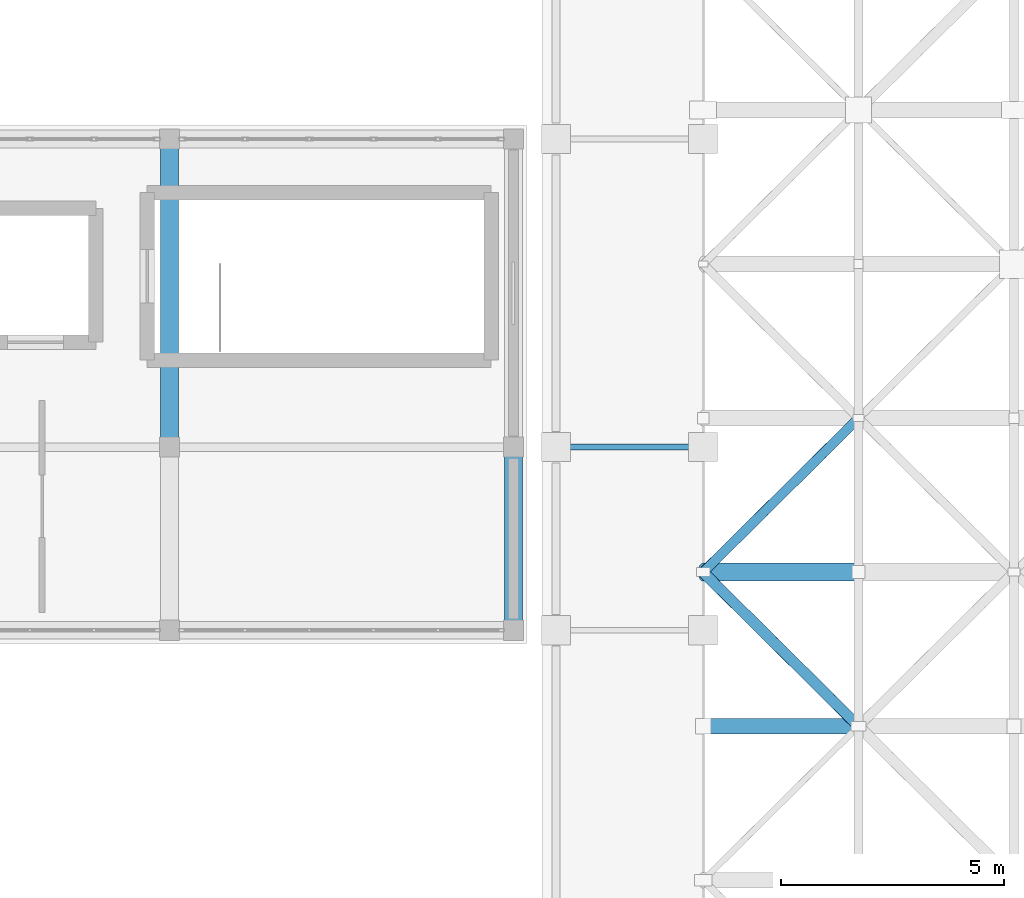
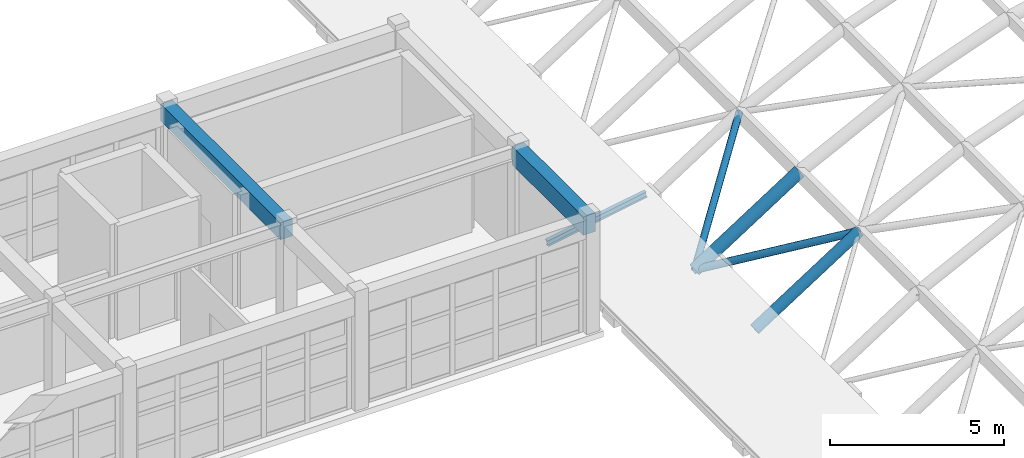
# One storey, part 17 of 52: 5 members, 2 beams.
"""IFC4 building model written with IfcOpenShell, lengths in metres."""

from ifc_helpers import new_model, si_unit, direction, frame, origin, origin_2d, place, context, subcontext, project, spatial, rectangle, hollow_circle, i_section, extrude, material, material_profile, profile_set, type_object, element, save


model = new_model("IFC4")

# Units and contexts
model_context = context("Model", 3, precision=1e-05, world=origin(), true_north=direction((0.0, 1.0)))
body_context = subcontext(model_context, "Body", "Model", "MODEL_VIEW")
ifc_project = project(units=[si_unit("LENGTHUNIT", "METRE"), si_unit("AREAUNIT", "SQUARE_METRE"), si_unit("VOLUMEUNIT", "CUBIC_METRE"), si_unit("PLANEANGLEUNIT", "RADIAN"), si_unit("MASSUNIT", "GRAM", prefix="KILO")], contexts=[model_context])

# Site, building, storey
site_placement = place(None, origin())
site = spatial("IfcSite", under=ifc_project, at=site_placement, CompositionType="ELEMENT")
building_placement = place(site_placement, origin())
building = spatial("IfcBuilding", under=site, at=building_placement, Name="Candilejo Ridge Gondola Terminal", CompositionType="ELEMENT")
storey_placement = place(building_placement, frame((0.0, 0.0, 18.60009765625)))
storey = spatial("IfcBuildingStorey", under=building, at=storey_placement, Name="L04", CompositionType="ELEMENT", Elevation=18.60009765625)

# Beam
ifc_material_1 = material(Name="Concrete f'c 35 MPa (C35/45)", Category="concrete")
ifc_material_profile_1 = material_profile(ifc_material_1, rectangle(XDim=0.39990234375, YDim=0.60009765625, at=origin_2d()))
ifc_profile_set_1 = profile_set([ifc_material_profile_1], Name="Concrete f'c 35 MPa (C35/45)")
beam_type_1 = type_object("IfcBeamType", Name="STR-BM-RC400X600", PredefinedType="BEAM", material=ifc_profile_set_1)
beam_1_placement = place(storey_placement, frame((125.25, 29.800048828125, 3.699951171875), z_axis=(0.0, 1.0, 0.0), x_axis=(-1.0, 0.0, 0.0)))
element("IfcBeam", 1, at=beam_1_placement, inside=storey, type_object=beam_type_1, Name="Beam Y V3 L04 Y06-Y07@X19", PredefinedType="BEAM", context=body_context, shape_type="SweptSolid", body=[
    extrude(rectangle(XDim=0.39990234375, YDim=0.60009765625, at=origin_2d()), origin(), (0.0, 0.0, 1.0), 6.89990234375),
])

# Members
ifc_material_2 = material(Name="Steel ASTM A500 Grade C", Category="steel")
ifc_material_profile_2 = material_profile(ifc_material_2, hollow_circle(Radius=0.109619140625, WallThickness=0.00830078125, at=origin_2d()))
ifc_profile_set_2 = profile_set([ifc_material_profile_2], Name="Steel ASTM A500 Grade C")
member_type_1 = type_object("IfcMemberType", Name="STR-BRC-CHS219", PredefinedType="BRACE", material=ifc_profile_set_2)
member_1_placement = place(storey_placement, frame((137.199951171875, 27.0, -0.2001953125), z_axis=(0.646271368564, 0.640694591636, 0.414540418323), x_axis=(-0.704036083414, 0.710164201612, 0.0)))
element("IfcMember", 2, at=member_1_placement, inside=storey, type_object=member_type_1, Name="Barrel diagrid diagonal 07-01", PredefinedType="BRACE", context=body_context, shape_type="SweptSolid", body=[
    extrude(hollow_circle(Radius=0.109619140625, WallThickness=0.00830078125, at=origin_2d()), origin(), (0.0, 0.0, 1.0), 5.384765625),
])
ifc_material_3 = material(Name="Steel ASTM A500 Grade C", Category="steel")
ifc_material_profile_3 = material_profile(ifc_material_3, hollow_circle(Radius=0.122314453125, WallThickness=0.0087890625, at=origin_2d()))
ifc_profile_set_3 = profile_set([ifc_material_profile_3], Name="Steel ASTM A500 Grade C")
member_type_2 = type_object("IfcMemberType", Name="STR-BRC-CHS244", PredefinedType="BRACE", material=ifc_profile_set_3)
member_2_placement = place(storey_placement, frame((140.679931640625, 23.550048828125, 2.031982421875), z_axis=(-0.646271368564, 0.640694591636, -0.414540418323), x_axis=(-0.704036083414, -0.710164201612, 0.0)))
element("IfcMember", 3, at=member_2_placement, inside=storey, type_object=member_type_2, Name="Barrel diagrid diagonal 06-01", PredefinedType="BRACE", context=body_context, shape_type="SweptSolid", body=[
    extrude(hollow_circle(Radius=0.122314453125, WallThickness=0.0087890625, at=origin_2d()), origin(), (0.0, 0.0, 1.0), 5.384765625),
])
ifc_material_4 = material(Name="Steel ASTM A500 Grade C", Category="steel")
ifc_material_profile_4 = material_profile(ifc_material_4, hollow_circle(Radius=0.177734375, WallThickness=0.0126953125, at=origin_2d()))
ifc_profile_set_4 = profile_set([ifc_material_profile_4], Name="Steel ASTM A500 Grade C")
member_type_3 = type_object("IfcMemberType", Name="STR-RAF-CHS356", PredefinedType="RAFTER", material=ifc_profile_set_4)
member_3_placement = place(storey_placement, frame((137.199951171875, 23.550048828125, -0.2001953125), z_axis=(0.841722944164, 0.0, 0.539909701031), x_axis=(0.0, 1.0, 0.0)))
element("IfcMember", 4, at=member_3_placement, inside=storey, type_object=member_type_3, Name="Barrel diagrid arch rafter F06-01", PredefinedType="RAFTER", context=body_context, shape_type="SweptSolid", body=[
    extrude(hollow_circle(Radius=0.177734375, WallThickness=0.0126953125, at=origin_2d()), origin(), (0.0, 0.0, 1.0), 4.13427734375),
])
ifc_material_5 = material(Name="Steel ASTM A500 Grade C", Category="steel")
ifc_material_profile_5 = material_profile(ifc_material_5, hollow_circle(Radius=0.203125, WallThickness=0.0126953125, at=origin_2d()))
ifc_profile_set_5 = profile_set([ifc_material_profile_5], Name="Steel ASTM A500 Grade C")
member_type_4 = type_object("IfcMemberType", Name="STR-RAF-CHS406", PredefinedType="RAFTER", material=ifc_profile_set_5)
member_4_placement = place(storey_placement, frame((137.199951171875, 27.0, -0.2001953125), z_axis=(0.841722944164, 0.0, 0.539909701031), x_axis=(0.0, 1.0, 0.0)))
element("IfcMember", 5, at=member_4_placement, inside=storey, type_object=member_type_4, Name="Barrel diagrid arch rafter F07-01", PredefinedType="RAFTER", context=body_context, shape_type="SweptSolid", body=[
    extrude(hollow_circle(Radius=0.203125, WallThickness=0.0126953125, at=origin_2d()), origin(), (0.0, 0.0, 1.0), 4.13427734375),
])
ifc_material_6 = material(Name="Steel ASTM A992 Grade 50", Category="steel")
ifc_material_profile_6 = material_profile(ifc_material_6, i_section(OverallWidth=0.133056640625, OverallDepth=0.20703125, WebThickness=0.005859375, FlangeThickness=0.00830078125, at=origin_2d()))
ifc_profile_set_6 = profile_set([ifc_material_profile_6], Name="Steel ASTM A992 Grade 50")
member_type_5 = type_object("IfcMemberType", Name="STR-RAF-W200", PredefinedType="RAFTER", material=ifc_profile_set_6)
member_5_placement = place(storey_placement, frame((133.89990234375, 29.800048828125, 0.201416015625), z_axis=(0.984800423621, 0.0, 0.173689739581), x_axis=(0.0, 1.0, 0.0)))
element("IfcMember", 6, at=member_5_placement, inside=storey, type_object=member_type_5, Name="Shed roof rafter RF-V4-WEST-05", PredefinedType="RAFTER", context=body_context, shape_type="SweptSolid", body=[
    extrude(i_section(OverallWidth=0.133056640625, OverallDepth=0.20703125, WebThickness=0.005859375, FlangeThickness=0.00830078125, at=origin_2d()), origin(), (0.0, 0.0, 1.0), 3.35107421875),
])

# Beam
ifc_material_7 = material(Name="Concrete f'c 35 MPa (C35/45)", Category="concrete")
ifc_material_profile_7 = material_profile(ifc_material_7, rectangle(XDim=0.39990234375, YDim=0.64990234375, at=origin_2d()))
ifc_profile_set_7 = profile_set([ifc_material_profile_7], Name="Concrete f'c 35 MPa (C35/45)")
beam_type_2 = type_object("IfcBeamType", Name="STR-SPN-RC400X650", PredefinedType="SPANDREL", material=ifc_profile_set_7)
beam_2_placement = place(storey_placement, frame((132.949951171875, 25.699951171875, 3.6748046875), z_axis=(0.0, 1.0, 0.0), x_axis=(-1.0, 0.0, 0.0)))
element("IfcBeam", 7, at=beam_2_placement, inside=storey, type_object=beam_type_2, Name="Beam Y V3 L04 Y05-Y06@X20", PredefinedType="SPANDREL", context=body_context, shape_type="SweptSolid", body=[
    extrude(rectangle(XDim=0.39990234375, YDim=0.64990234375, at=origin_2d()), origin(), (0.0, 0.0, 1.0), 4.10009765625),
])

save(model, "model.ifc")
